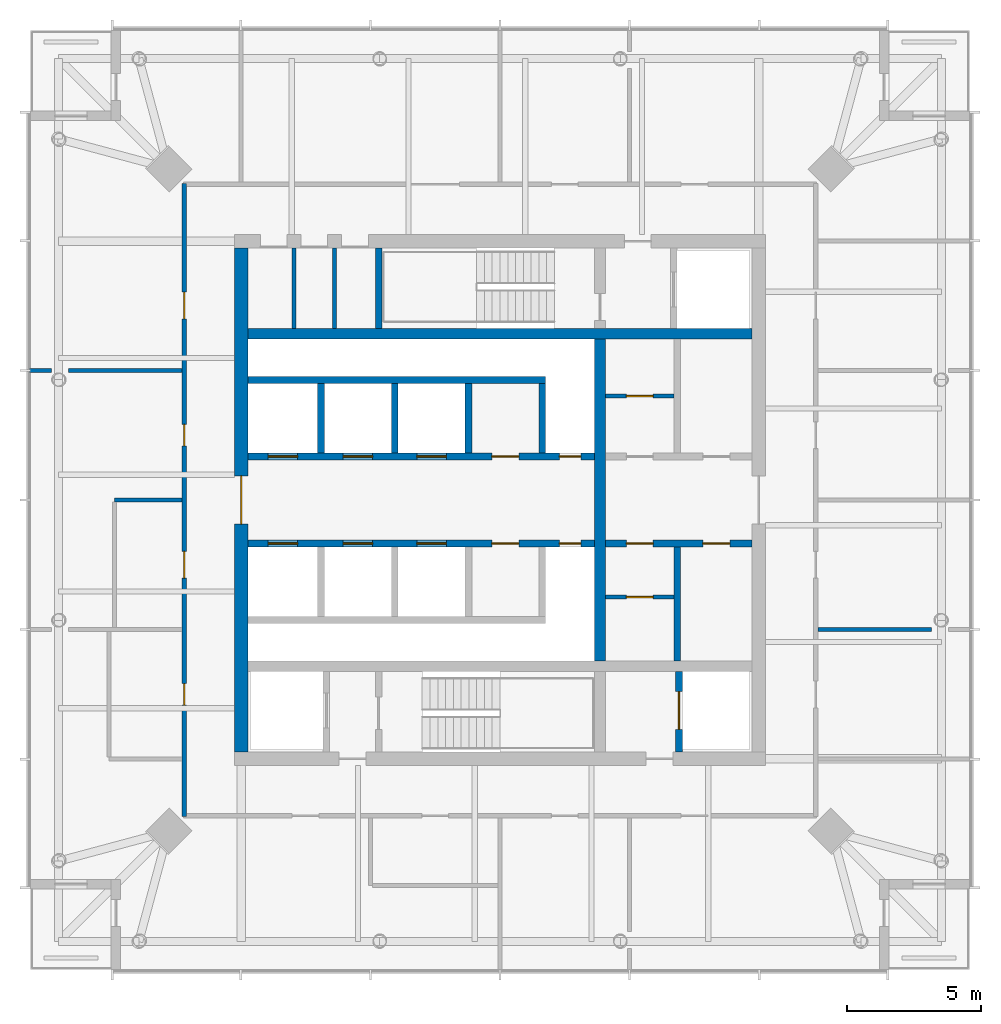
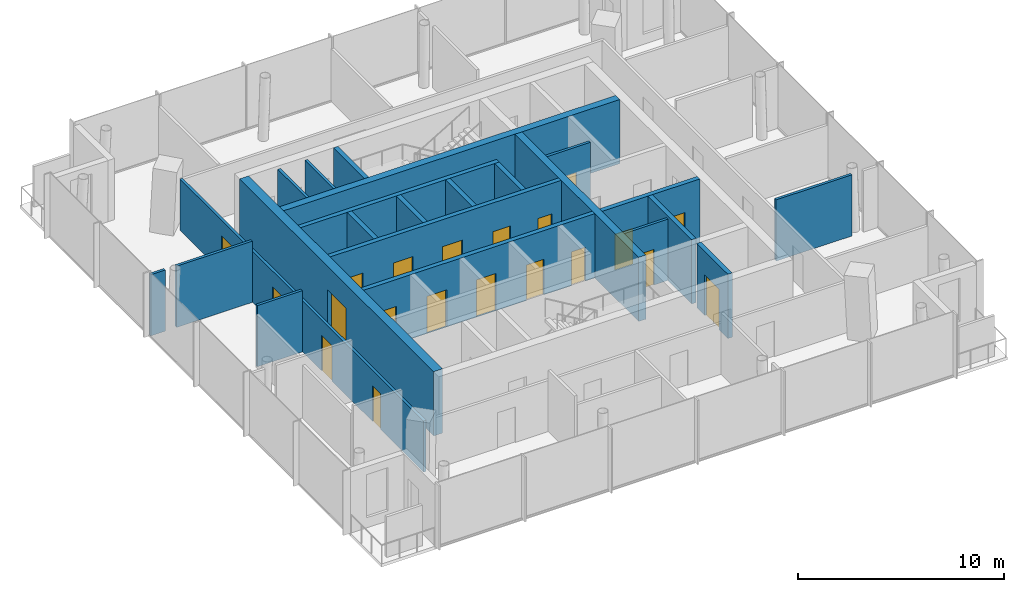
# One storey, part 4 of 7: 23 walls, 20 doors, 20 openings.
"""IFC4 building model written with IfcOpenShell, lengths in metres."""

from ifc_helpers import new_model, si_unit, direction, frame, frame_2d, origin, place, context, subcontext, project, spatial, rectangle, extrude, material, layer, layer_set, type_object, element, fill, save


model = new_model("IFC4")

# Units and contexts
model_context = context("Model", 3, precision=1e-05, world=origin(), true_north=direction((0.0, 1.0)))
body_context = subcontext(model_context, "Body", "Model", "MODEL_VIEW")
ifc_project = project(units=[si_unit("LENGTHUNIT", "METRE"), si_unit("AREAUNIT", "SQUARE_METRE"), si_unit("VOLUMEUNIT", "CUBIC_METRE"), si_unit("PLANEANGLEUNIT", "RADIAN"), si_unit("MASSUNIT", "GRAM", prefix="KILO")], contexts=[model_context])

# Site, building, storey
site_placement = place(None, origin())
site = spatial("IfcSite", under=ifc_project, at=site_placement, CompositionType="ELEMENT")
building_placement = place(site_placement, origin())
building = spatial("IfcBuilding", under=site, at=building_placement, Name="Ostroluk Exchange", CompositionType="ELEMENT")
storey_placement = place(building_placement, frame((0.0, 0.0, 256.60009765625)))
storey = spatial("IfcBuildingStorey", under=building, at=storey_placement, Name="L66", CompositionType="ELEMENT", Elevation=256.60009765625)

# Walls
ifc_material_1 = material(Name="Concrete blockwork", Category="masonry")
ifc_layer_1 = layer(ifc_material_1, 0.14990234375)
ifc_layer_set_1 = layer_set([ifc_layer_1], Name="Blockwork plant room wall 150")
wall_type_1 = type_object("IfcWallType", Name="Blockwork plant room wall 150", PredefinedType="SOLIDWALL", material=ifc_layer_set_1)
for number, where, z_axis, x_axis, name in (
    (1, (37.31005859375, 52.39990234375, 0.0), (0.0, 0.0, 1.0), (0.0, 1.0, 0.0), "Core room wall"),
    (2, (38.830078125, 52.39990234375, 0.0), (0.0, 0.0, 1.0), (0.0, 1.0, 0.0), "Core room wall"),
):
    element("IfcWall", number, at=place(storey_placement, frame(where, z_axis=z_axis, x_axis=x_axis)), inside=storey, type_object=wall_type_1, Name=name, PredefinedType="SOLIDWALL", context=body_context, shape_type="SweptSolid", body=[
        extrude(rectangle(XDim=3.0, YDim=0.14990234375, at=frame_2d((1.5, 0.0))), origin(), (0.0, 0.0, 1.0), 3.619873046875),
    ])

# Wall, opening, door
wall_1_placement = place(storey_placement, frame((48.929931640625, 49.875, 0.0), z_axis=(0.0, 0.0, 1.0), x_axis=(1.0, 0.0, 0.0)))
wall_1 = element("IfcWall", 3, at=wall_1_placement, inside=storey, type_object=wall_type_1, Name="Core room wall", PredefinedType="SOLIDWALL", context=body_context, shape_type="SweptSolid", body=[
    extrude(rectangle(XDim=2.56005859375, YDim=0.14990234375, at=frame_2d((1.280029296875, 0.0))), origin(), (0.0, 0.0, 1.0), 3.619873046875),
])
opening_1_placement = place(wall_1_placement, frame((0.780029296875, 0.0, 0.0)))
opening_1 = element("IfcOpeningElement", 4, at=opening_1_placement, cuts=wall_1, Name="Opening FD60", PredefinedType="OPENING", context=body_context, shape_type="SweptSolid", body=[
    extrude(rectangle(XDim=1.0, YDim=2.10009765625, at=frame_2d((0.5, 1.050048828125))), frame((0.0, 0.0849609375, 0.0), z_axis=(0.0, -1.0, 0.0), x_axis=(1.0, 0.0, 0.0)), (0.0, 0.0, 1.0), 0.169921875),
])
ifc_material_2 = material(Name="Steel", Category="steel")
door_type_1 = type_object("IfcDoorType", Name="Fire door EI 60 1000 x 2100", OperationType="SINGLE_SWING_LEFT", PredefinedType="DOOR", material=ifc_material_2)
door_1_placement = place(opening_1_placement, origin())
door_1 = element("IfcDoor", 5, at=door_1_placement, inside=storey, type_object=door_type_1, Name="Equipment store door", OperationType="SINGLE_SWING_LEFT", OverallHeight=2.10009765625, OverallWidth=1.0, PredefinedType="DOOR", context=body_context, shape_type="SweptSolid", body=[
    extrude(rectangle(XDim=1.0, YDim=2.10009765625, at=frame_2d((0.5, 1.050048828125))), frame((0.0, 0.02490234375, 0.0), z_axis=(0.0, -1.0, 0.0), x_axis=(1.0, 0.0, 0.0)), (0.0, 0.0, 1.0), 0.050048828125),
])
fill(opening_1, door_1)

wall_2_placement = place(storey_placement, frame((48.929931640625, 42.3798828125, 0.0), z_axis=(0.0, 0.0, 1.0), x_axis=(1.0, 0.0, 0.0)))
wall_2 = element("IfcWall", 6, at=wall_2_placement, inside=storey, type_object=wall_type_1, Name="Core room wall", PredefinedType="SOLIDWALL", context=body_context, shape_type="SweptSolid", body=[
    extrude(rectangle(XDim=2.56005859375, YDim=0.14990234375, at=frame_2d((1.280029296875, 0.0))), origin(), (0.0, 0.0, 1.0), 3.619873046875),
])
opening_2_placement = place(wall_2_placement, frame((0.780029296875, 0.0, 0.0)))
opening_2 = element("IfcOpeningElement", 7, at=opening_2_placement, cuts=wall_2, Name="Opening FD60", PredefinedType="OPENING", context=body_context, shape_type="SweptSolid", body=[
    extrude(rectangle(XDim=1.0, YDim=2.10009765625, at=frame_2d((0.5, 1.050048828125))), frame((0.0, 0.0849609375, 0.0), z_axis=(0.0, -1.0, 0.0), x_axis=(1.0, 0.0, 0.0)), (0.0, 0.0, 1.0), 0.169921875),
])
door_2_placement = place(opening_2_placement, origin())
door_2 = element("IfcDoor", 8, at=door_2_placement, inside=storey, type_object=door_type_1, Name="Cleaner's store door", OperationType="SINGLE_SWING_LEFT", OverallHeight=2.10009765625, OverallWidth=1.0, PredefinedType="DOOR", context=body_context, shape_type="SweptSolid", body=[
    extrude(rectangle(XDim=1.0, YDim=2.10009765625, at=frame_2d((0.5, 1.050048828125))), frame((0.0, 0.02490234375, 0.0), z_axis=(0.0, -1.0, 0.0), x_axis=(1.0, 0.0, 0.0)), (0.0, 0.0, 1.0), 0.050048828125),
])
fill(opening_2, door_2)

# Walls
ifc_material_3 = material(Name="Concrete C50/60", Category="concrete")
ifc_layer_2 = layer(ifc_material_3, 0.39990234375)
ifc_layer_set_2 = layer_set([ifc_layer_2], Name="Core cross wall 400 C50/60")
wall_type_2 = type_object("IfcWallType", Name="Core cross wall 400 C50/60", PredefinedType="SHEAR", material=ifc_layer_set_2)
wall_3_placement = place(storey_placement, frame((35.60009765625, 52.199951171875, 0.0), z_axis=(0.0, 0.0, 1.0), x_axis=(1.0, 0.0, 0.0)))
element("IfcWall", 9, at=wall_3_placement, inside=storey, type_object=wall_type_2, Name="T1 core wall XN", PredefinedType="SHEAR", context=body_context, shape_type="SweptSolid", body=[
    extrude(rectangle(XDim=18.7998046875, YDim=0.39990234375, at=frame_2d((9.39990234375, 0.0))), origin(), (0.0, 0.0, 1.0), 3.7998046875),
])
wall_4_placement = place(storey_placement, frame((48.72998046875, 40.0, 0.0), z_axis=(0.0, 0.0, 1.0), x_axis=(0.0, 1.0, 0.0)))
element("IfcWall", 10, at=wall_4_placement, inside=storey, type_object=wall_type_2, Name="T1 core wall YE2", PredefinedType="SHEAR", context=body_context, shape_type="SweptSolid", body=[
    extrude(rectangle(XDim=12.0, YDim=0.39990234375, at=frame_2d((6.0, 0.0))), origin(), (0.0, 0.0, 1.0), 3.7998046875),
])

# Wall, opening, door
ifc_material_4 = material(Name="Concrete C40/50", Category="concrete")
ifc_layer_3 = layer(ifc_material_4, 0.25)
ifc_layer_set_3 = layer_set([ifc_layer_3], Name="Core shaft wall 250")
wall_type_3 = type_object("IfcWallType", Name="Core shaft wall 250", PredefinedType="SHEAR", material=ifc_layer_set_3)
wall_5_placement = place(storey_placement, frame((51.675048828125, 36.60009765625, 0.0), z_axis=(0.0, 0.0, 1.0), x_axis=(0.0, 1.0, 0.0)))
wall_5 = element("IfcWall", 11, at=wall_5_placement, inside=storey, type_object=wall_type_3, Name="Service lift shaft wall", PredefinedType="SHEAR", context=body_context, shape_type="SweptSolid", body=[
    extrude(rectangle(XDim=3.0, YDim=0.25, at=frame_2d((1.5, 0.0))), origin(), (0.0, 0.0, 1.0), 3.7998046875),
])
opening_3_placement = place(wall_5_placement, frame((0.85009765625, 0.0, 0.0)))
opening_3 = element("IfcOpeningElement", 12, at=opening_3_placement, cuts=wall_5, Name="Opening LD3", PredefinedType="OPENING", context=body_context, shape_type="SweptSolid", body=[
    extrude(rectangle(XDim=1.39990234375, YDim=2.39990234375, at=frame_2d((0.699951171875, 1.199951171875))), frame((0.0, 0.135009765625, 0.0), z_axis=(0.0, -1.0, 0.0), x_axis=(1.0, 0.0, 0.0)), (0.0, 0.0, 1.0), 0.27001953125),
])
ifc_material_5 = material(Name="Stainless steel", Category="steel")
door_type_2 = type_object("IfcDoorType", Name="Goods lift landing door E 60 1400 x 2400", OperationType="DOUBLE_DOOR_SLIDING", PredefinedType="DOOR", material=ifc_material_5)
door_3_placement = place(opening_3_placement, origin())
door_3 = element("IfcDoor", 13, at=door_3_placement, inside=storey, type_object=door_type_2, Name="Lift SL1 landing door", OperationType="DOUBLE_DOOR_SLIDING", OverallHeight=2.39990234375, OverallWidth=1.39990234375, PredefinedType="DOOR", context=body_context, shape_type="SweptSolid", body=[
    extrude(rectangle(XDim=1.39990234375, YDim=2.39990234375, at=frame_2d((0.699951171875, 1.199951171875))), frame((0.0, 0.02490234375, 0.0), z_axis=(0.0, -1.0, 0.0), x_axis=(1.0, 0.0, 0.0)), (0.0, 0.0, 1.0), 0.050048828125),
])
fill(opening_3, door_3)

# Walls
wall_6_placement = place(storey_placement, frame((40.47509765625, 52.39990234375, 0.0), z_axis=(0.0, 0.0, 1.0), x_axis=(0.0, 1.0, 0.0)))
element("IfcWall", 14, at=wall_6_placement, inside=storey, type_object=wall_type_3, Name="Stair shaft wall", PredefinedType="SHEAR", context=body_context, shape_type="SweptSolid", body=[
    extrude(rectangle(XDim=3.0, YDim=0.25, at=frame_2d((1.5, 0.0))), origin(), (0.0, 0.0, 1.0), 3.7998046875),
])
for number, where, z_axis, x_axis, name in (
    (15, (38.324951171875, 47.75, 0.0), (0.0, 0.0, 1.0), (0.0, 1.0, 0.0), "Lift shaft wall"),
    (16, (41.074951171875, 47.75, 0.0), (0.0, 0.0, 1.0), (0.0, 1.0, 0.0), "Lift shaft wall"),
    (17, (43.824951171875, 47.75, 0.0), (0.0, 0.0, 1.0), (0.0, 1.0, 0.0), "Lift shaft wall"),
    (18, (46.574951171875, 47.75, 0.0), (0.0, 0.0, 1.0), (0.0, 1.0, 0.0), "Lift shaft wall"),
):
    element("IfcWall", number, at=place(storey_placement, frame(where, z_axis=z_axis, x_axis=x_axis)), inside=storey, type_object=wall_type_3, Name=name, PredefinedType="SHEAR", context=body_context, shape_type="SweptSolid", body=[
        extrude(rectangle(XDim=2.60009765625, YDim=0.25, at=frame_2d((1.300048828125, 0.0))), origin(), (0.0, 0.0, 1.0), 3.7998046875),
    ])
wall_7_placement = place(storey_placement, frame((35.60009765625, 50.47509765625, 0.0), z_axis=(0.0, 0.0, 1.0), x_axis=(1.0, 0.0, 0.0)))
element("IfcWall", 19, at=wall_7_placement, inside=storey, type_object=wall_type_3, Name="Lift shaft wall", PredefinedType="SHEAR", context=body_context, shape_type="SweptSolid", body=[
    extrude(rectangle(XDim=11.099853515625, YDim=0.25, at=frame_2d((5.5498046875, 0.0))), origin(), (0.0, 0.0, 1.0), 3.7998046875),
])

# Wall, openings, doors
wall_8_placement = place(storey_placement, frame((35.60009765625, 47.625, 0.0), z_axis=(0.0, 0.0, 1.0), x_axis=(1.0, 0.0, 0.0)))
wall_8 = element("IfcWall", 20, at=wall_8_placement, inside=storey, type_object=wall_type_3, Name="Lift shaft front wall", PredefinedType="SHEAR", context=body_context, shape_type="SweptSolid", body=[
    extrude(rectangle(XDim=12.929931640625, YDim=0.25, at=frame_2d((6.46484375, 0.0))), origin(), (0.0, 0.0, 1.0), 3.7998046875),
])
opening_4_placement = place(wall_8_placement, frame((0.75, 0.0, 0.0)))
opening_4 = element("IfcOpeningElement", 21, at=opening_4_placement, cuts=wall_8, Name="Opening LD", PredefinedType="OPENING", context=body_context, shape_type="SweptSolid", body=[
    extrude(rectangle(XDim=1.10009765625, YDim=2.199951171875, at=frame_2d((0.550048828125, 1.10009765625))), frame((0.0, 0.135009765625, 0.0), z_axis=(0.0, -1.0, 0.0), x_axis=(1.0, 0.0, 0.0)), (0.0, 0.0, 1.0), 0.27001953125),
])
opening_5_placement = place(wall_8_placement, frame((3.550048828125, 0.0, 0.0)))
opening_5 = element("IfcOpeningElement", 22, at=opening_5_placement, cuts=wall_8, Name="Opening LD", PredefinedType="OPENING", context=body_context, shape_type="SweptSolid", body=[
    extrude(rectangle(XDim=1.10009765625, YDim=2.199951171875, at=frame_2d((0.550048828125, 1.10009765625))), frame((0.0, 0.135009765625, 0.0), z_axis=(0.0, -1.0, 0.0), x_axis=(1.0, 0.0, 0.0)), (0.0, 0.0, 1.0), 0.27001953125),
])
opening_6_placement = place(wall_8_placement, frame((6.300048828125, 0.0, 0.0)))
opening_6 = element("IfcOpeningElement", 23, at=opening_6_placement, cuts=wall_8, Name="Opening LD", PredefinedType="OPENING", context=body_context, shape_type="SweptSolid", body=[
    extrude(rectangle(XDim=1.10009765625, YDim=2.199951171875, at=frame_2d((0.550048828125, 1.10009765625))), frame((0.0, 0.135009765625, 0.0), z_axis=(0.0, -1.0, 0.0), x_axis=(1.0, 0.0, 0.0)), (0.0, 0.0, 1.0), 0.27001953125),
])
opening_7_placement = place(wall_8_placement, frame((9.10009765625, 0.0, 0.0)))
opening_7 = element("IfcOpeningElement", 24, at=opening_7_placement, cuts=wall_8, Name="Opening FD60", PredefinedType="OPENING", context=body_context, shape_type="SweptSolid", body=[
    extrude(rectangle(XDim=1.0, YDim=2.10009765625, at=frame_2d((0.5, 1.050048828125))), frame((0.0, 0.135009765625, 0.0), z_axis=(0.0, -1.0, 0.0), x_axis=(1.0, 0.0, 0.0)), (0.0, 0.0, 1.0), 0.27001953125),
])
opening_8_placement = place(wall_8_placement, frame((11.614990234375, 0.0, 0.0)))
opening_8 = element("IfcOpeningElement", 25, at=opening_8_placement, cuts=wall_8, Name="Opening RD60", PredefinedType="OPENING", context=body_context, shape_type="SweptSolid", body=[
    extrude(rectangle(XDim=0.800048828125, YDim=2.0, at=frame_2d((0.39990234375, 1.0))), frame((0.0, 0.135009765625, 0.0), z_axis=(0.0, -1.0, 0.0), x_axis=(1.0, 0.0, 0.0)), (0.0, 0.0, 1.0), 0.27001953125),
])
door_4_placement = place(opening_7_placement, origin())
door_4 = element("IfcDoor", 26, at=door_4_placement, inside=storey, type_object=door_type_1, Name="Core room door", OperationType="SINGLE_SWING_RIGHT", OverallHeight=2.10009765625, OverallWidth=1.0, PredefinedType="DOOR", context=body_context, shape_type="SweptSolid", body=[
    extrude(rectangle(XDim=1.0, YDim=2.10009765625, at=frame_2d((0.5, 1.050048828125))), frame((0.0, 0.02490234375, 0.0), z_axis=(0.0, -1.0, 0.0), x_axis=(1.0, 0.0, 0.0)), (0.0, 0.0, 1.0), 0.050048828125),
])
fill(opening_7, door_4)
ifc_material_6 = material(Name="Stainless steel", Category="steel")
door_type_3 = type_object("IfcDoorType", Name="Lift landing door E 60 1100 x 2200", OperationType="DOUBLE_DOOR_SLIDING", PredefinedType="DOOR", material=ifc_material_6)
door_5_placement = place(opening_4_placement, origin())
door_5 = element("IfcDoor", 27, at=door_5_placement, inside=storey, type_object=door_type_3, Name="Lift PL-T1 landing door", OperationType="DOUBLE_DOOR_SLIDING", OverallHeight=2.199951171875, OverallWidth=1.10009765625, PredefinedType="DOOR", context=body_context, shape_type="SweptSolid", body=[
    extrude(rectangle(XDim=1.10009765625, YDim=2.199951171875, at=frame_2d((0.550048828125, 1.10009765625))), frame((0.0, 0.02490234375, 0.0), z_axis=(0.0, -1.0, 0.0), x_axis=(1.0, 0.0, 0.0)), (0.0, 0.0, 1.0), 0.050048828125),
])
fill(opening_4, door_5)
door_6_placement = place(opening_5_placement, origin())
door_6 = element("IfcDoor", 28, at=door_6_placement, inside=storey, type_object=door_type_3, Name="Lift PL-T2 landing door", OperationType="DOUBLE_DOOR_SLIDING", OverallHeight=2.199951171875, OverallWidth=1.10009765625, PredefinedType="DOOR", context=body_context, shape_type="SweptSolid", body=[
    extrude(rectangle(XDim=1.10009765625, YDim=2.199951171875, at=frame_2d((0.550048828125, 1.10009765625))), frame((0.0, 0.02490234375, 0.0), z_axis=(0.0, -1.0, 0.0), x_axis=(1.0, 0.0, 0.0)), (0.0, 0.0, 1.0), 0.050048828125),
])
fill(opening_5, door_6)
door_7_placement = place(opening_6_placement, origin())
door_7 = element("IfcDoor", 29, at=door_7_placement, inside=storey, type_object=door_type_3, Name="Lift PL-T3 landing door", OperationType="DOUBLE_DOOR_SLIDING", OverallHeight=2.199951171875, OverallWidth=1.10009765625, PredefinedType="DOOR", context=body_context, shape_type="SweptSolid", body=[
    extrude(rectangle(XDim=1.10009765625, YDim=2.199951171875, at=frame_2d((0.550048828125, 1.10009765625))), frame((0.0, 0.02490234375, 0.0), z_axis=(0.0, -1.0, 0.0), x_axis=(1.0, 0.0, 0.0)), (0.0, 0.0, 1.0), 0.050048828125),
])
fill(opening_6, door_7)
ifc_material_7 = material(Name="Steel", Category="steel")
door_type_4 = type_object("IfcDoorType", Name="Riser access door EI 60 800 x 2000", OperationType="SINGLE_SWING_LEFT", PredefinedType="DOOR", material=ifc_material_7)
door_8_placement = place(opening_8_placement, origin())
door_8 = element("IfcDoor", 30, at=door_8_placement, inside=storey, type_object=door_type_4, Name="Riser access door", OperationType="SINGLE_SWING_RIGHT", OverallHeight=2.0, OverallWidth=0.800048828125, PredefinedType="DOOR", context=body_context, shape_type="SweptSolid", body=[
    extrude(rectangle(XDim=0.800048828125, YDim=2.0, at=frame_2d((0.39990234375, 1.0))), frame((0.0, 0.02490234375, 0.0), z_axis=(0.0, -1.0, 0.0), x_axis=(1.0, 0.0, 0.0)), (0.0, 0.0, 1.0), 0.050048828125),
])
fill(opening_8, door_8)

wall_9_placement = place(storey_placement, frame((35.60009765625, 44.375, 0.0), z_axis=(0.0, 0.0, 1.0), x_axis=(1.0, 0.0, 0.0)))
wall_9 = element("IfcWall", 31, at=wall_9_placement, inside=storey, type_object=wall_type_3, Name="Lift shaft front wall", PredefinedType="SHEAR", context=body_context, shape_type="SweptSolid", body=[
    extrude(rectangle(XDim=12.929931640625, YDim=0.25, at=frame_2d((6.46484375, 0.0))), origin(), (0.0, 0.0, 1.0), 3.7998046875),
])
opening_9_placement = place(wall_9_placement, frame((0.75, 0.0, 0.0)))
opening_9 = element("IfcOpeningElement", 32, at=opening_9_placement, cuts=wall_9, Name="Opening LD", PredefinedType="OPENING", context=body_context, shape_type="SweptSolid", body=[
    extrude(rectangle(XDim=1.10009765625, YDim=2.199951171875, at=frame_2d((0.550048828125, 1.10009765625))), frame((0.0, 0.135009765625, 0.0), z_axis=(0.0, -1.0, 0.0), x_axis=(1.0, 0.0, 0.0)), (0.0, 0.0, 1.0), 0.27001953125),
])
opening_10_placement = place(wall_9_placement, frame((3.550048828125, 0.0, 0.0)))
opening_10 = element("IfcOpeningElement", 33, at=opening_10_placement, cuts=wall_9, Name="Opening LD", PredefinedType="OPENING", context=body_context, shape_type="SweptSolid", body=[
    extrude(rectangle(XDim=1.10009765625, YDim=2.199951171875, at=frame_2d((0.550048828125, 1.10009765625))), frame((0.0, 0.135009765625, 0.0), z_axis=(0.0, -1.0, 0.0), x_axis=(1.0, 0.0, 0.0)), (0.0, 0.0, 1.0), 0.27001953125),
])
opening_11_placement = place(wall_9_placement, frame((6.300048828125, 0.0, 0.0)))
opening_11 = element("IfcOpeningElement", 34, at=opening_11_placement, cuts=wall_9, Name="Opening LD", PredefinedType="OPENING", context=body_context, shape_type="SweptSolid", body=[
    extrude(rectangle(XDim=1.10009765625, YDim=2.199951171875, at=frame_2d((0.550048828125, 1.10009765625))), frame((0.0, 0.135009765625, 0.0), z_axis=(0.0, -1.0, 0.0), x_axis=(1.0, 0.0, 0.0)), (0.0, 0.0, 1.0), 0.27001953125),
])
opening_12_placement = place(wall_9_placement, frame((9.10009765625, 0.0, 0.0)))
opening_12 = element("IfcOpeningElement", 35, at=opening_12_placement, cuts=wall_9, Name="Opening FD60", PredefinedType="OPENING", context=body_context, shape_type="SweptSolid", body=[
    extrude(rectangle(XDim=1.0, YDim=2.10009765625, at=frame_2d((0.5, 1.050048828125))), frame((0.0, 0.135009765625, 0.0), z_axis=(0.0, -1.0, 0.0), x_axis=(1.0, 0.0, 0.0)), (0.0, 0.0, 1.0), 0.27001953125),
])
opening_13_placement = place(wall_9_placement, frame((11.614990234375, 0.0, 0.0)))
opening_13 = element("IfcOpeningElement", 36, at=opening_13_placement, cuts=wall_9, Name="Opening RD60", PredefinedType="OPENING", context=body_context, shape_type="SweptSolid", body=[
    extrude(rectangle(XDim=0.800048828125, YDim=2.0, at=frame_2d((0.39990234375, 1.0))), frame((0.0, 0.135009765625, 0.0), z_axis=(0.0, -1.0, 0.0), x_axis=(1.0, 0.0, 0.0)), (0.0, 0.0, 1.0), 0.27001953125),
])
door_9_placement = place(opening_12_placement, origin())
door_9 = element("IfcDoor", 37, at=door_9_placement, inside=storey, type_object=door_type_1, Name="Core room door", OperationType="SINGLE_SWING_RIGHT", OverallHeight=2.10009765625, OverallWidth=1.0, PredefinedType="DOOR", context=body_context, shape_type="SweptSolid", body=[
    extrude(rectangle(XDim=1.0, YDim=2.10009765625, at=frame_2d((0.5, 1.050048828125))), frame((0.0, 0.02490234375, 0.0), z_axis=(0.0, -1.0, 0.0), x_axis=(1.0, 0.0, 0.0)), (0.0, 0.0, 1.0), 0.050048828125),
])
fill(opening_12, door_9)
door_10_placement = place(opening_9_placement, origin())
door_10 = element("IfcDoor", 38, at=door_10_placement, inside=storey, type_object=door_type_3, Name="Lift PL-T4 landing door", OperationType="DOUBLE_DOOR_SLIDING", OverallHeight=2.199951171875, OverallWidth=1.10009765625, PredefinedType="DOOR", context=body_context, shape_type="SweptSolid", body=[
    extrude(rectangle(XDim=1.10009765625, YDim=2.199951171875, at=frame_2d((0.550048828125, 1.10009765625))), frame((0.0, 0.02490234375, 0.0), z_axis=(0.0, -1.0, 0.0), x_axis=(1.0, 0.0, 0.0)), (0.0, 0.0, 1.0), 0.050048828125),
])
fill(opening_9, door_10)
door_11_placement = place(opening_10_placement, origin())
door_11 = element("IfcDoor", 39, at=door_11_placement, inside=storey, type_object=door_type_3, Name="Lift PL-T5 landing door", OperationType="DOUBLE_DOOR_SLIDING", OverallHeight=2.199951171875, OverallWidth=1.10009765625, PredefinedType="DOOR", context=body_context, shape_type="SweptSolid", body=[
    extrude(rectangle(XDim=1.10009765625, YDim=2.199951171875, at=frame_2d((0.550048828125, 1.10009765625))), frame((0.0, 0.02490234375, 0.0), z_axis=(0.0, -1.0, 0.0), x_axis=(1.0, 0.0, 0.0)), (0.0, 0.0, 1.0), 0.050048828125),
])
fill(opening_10, door_11)
door_12_placement = place(opening_11_placement, origin())
door_12 = element("IfcDoor", 40, at=door_12_placement, inside=storey, type_object=door_type_3, Name="Lift PL-T6 landing door", OperationType="DOUBLE_DOOR_SLIDING", OverallHeight=2.199951171875, OverallWidth=1.10009765625, PredefinedType="DOOR", context=body_context, shape_type="SweptSolid", body=[
    extrude(rectangle(XDim=1.10009765625, YDim=2.199951171875, at=frame_2d((0.550048828125, 1.10009765625))), frame((0.0, 0.02490234375, 0.0), z_axis=(0.0, -1.0, 0.0), x_axis=(1.0, 0.0, 0.0)), (0.0, 0.0, 1.0), 0.050048828125),
])
fill(opening_11, door_12)
door_13_placement = place(opening_13_placement, origin())
door_13 = element("IfcDoor", 41, at=door_13_placement, inside=storey, type_object=door_type_4, Name="Riser access door", OperationType="SINGLE_SWING_RIGHT", OverallHeight=2.0, OverallWidth=0.800048828125, PredefinedType="DOOR", context=body_context, shape_type="SweptSolid", body=[
    extrude(rectangle(XDim=0.800048828125, YDim=2.0, at=frame_2d((0.39990234375, 1.0))), frame((0.0, 0.02490234375, 0.0), z_axis=(0.0, -1.0, 0.0), x_axis=(1.0, 0.0, 0.0)), (0.0, 0.0, 1.0), 0.050048828125),
])
fill(opening_13, door_13)

# Wall
wall_10_placement = place(storey_placement, frame((51.614990234375, 44.25, 0.0), z_axis=(0.0, 0.0, 1.0), x_axis=(0.0, -1.0, 0.0)))
element("IfcWall", 42, at=wall_10_placement, inside=storey, type_object=wall_type_3, Name="Lift shaft wall", PredefinedType="SHEAR", context=body_context, shape_type="SweptSolid", body=[
    extrude(rectangle(XDim=4.25, YDim=0.25, at=frame_2d((2.125, 0.0))), origin(), (0.0, 0.0, 1.0), 3.7998046875),
])

# Wall, openings, doors
wall_11_placement = place(storey_placement, frame((48.929931640625, 44.375, 0.0), z_axis=(0.0, 0.0, 1.0), x_axis=(1.0, 0.0, 0.0)))
wall_11 = element("IfcWall", 43, at=wall_11_placement, inside=storey, type_object=wall_type_3, Name="Lift shaft front wall", PredefinedType="SHEAR", context=body_context, shape_type="SweptSolid", body=[
    extrude(rectangle(XDim=5.469970703125, YDim=0.25, at=frame_2d((2.73486328125, 0.0))), origin(), (0.0, 0.0, 1.0), 3.7998046875),
])
opening_14_placement = place(wall_11_placement, frame((0.780029296875, 0.0, 0.0)))
opening_14 = element("IfcOpeningElement", 44, at=opening_14_placement, cuts=wall_11, Name="Opening FD60", PredefinedType="OPENING", context=body_context, shape_type="SweptSolid", body=[
    extrude(rectangle(XDim=1.0, YDim=2.10009765625, at=frame_2d((0.5, 1.050048828125))), frame((0.0, 0.135009765625, 0.0), z_axis=(0.0, -1.0, 0.0), x_axis=(1.0, 0.0, 0.0)), (0.0, 0.0, 1.0), 0.27001953125),
])
opening_15_placement = place(wall_11_placement, frame((3.639892578125, 0.0, 0.0)))
opening_15 = element("IfcOpeningElement", 45, at=opening_15_placement, cuts=wall_11, Name="Opening FD60", PredefinedType="OPENING", context=body_context, shape_type="SweptSolid", body=[
    extrude(rectangle(XDim=1.0, YDim=2.10009765625, at=frame_2d((0.5, 1.050048828125))), frame((0.0, 0.135009765625, 0.0), z_axis=(0.0, -1.0, 0.0), x_axis=(1.0, 0.0, 0.0)), (0.0, 0.0, 1.0), 0.27001953125),
])
door_14_placement = place(opening_14_placement, origin())
door_14 = element("IfcDoor", 46, at=door_14_placement, inside=storey, type_object=door_type_1, Name="Core room door", OperationType="SINGLE_SWING_LEFT", OverallHeight=2.10009765625, OverallWidth=1.0, PredefinedType="DOOR", context=body_context, shape_type="SweptSolid", body=[
    extrude(rectangle(XDim=1.0, YDim=2.10009765625, at=frame_2d((0.5, 1.050048828125))), frame((0.0, 0.02490234375, 0.0), z_axis=(0.0, -1.0, 0.0), x_axis=(1.0, 0.0, 0.0)), (0.0, 0.0, 1.0), 0.050048828125),
])
fill(opening_14, door_14)
door_15_placement = place(opening_15_placement, origin())
door_15 = element("IfcDoor", 47, at=door_15_placement, inside=storey, type_object=door_type_1, Name="Core room door", OperationType="SINGLE_SWING_RIGHT", OverallHeight=2.10009765625, OverallWidth=1.0, PredefinedType="DOOR", context=body_context, shape_type="SweptSolid", body=[
    extrude(rectangle(XDim=1.0, YDim=2.10009765625, at=frame_2d((0.5, 1.050048828125))), frame((0.0, 0.02490234375, 0.0), z_axis=(0.0, -1.0, 0.0), x_axis=(1.0, 0.0, 0.0)), (0.0, 0.0, 1.0), 0.050048828125),
])
fill(opening_15, door_15)

# Wall, opening, door
ifc_material_8 = material(Name="Concrete C50/60", Category="concrete")
ifc_layer_4 = layer(ifc_material_8, 0.5)
ifc_layer_set_4 = layer_set([ifc_layer_4], Name="Core wall 500 C50/60")
wall_type_4 = type_object("IfcWallType", Name="Core wall 500 C50/60", PredefinedType="SHEAR", material=ifc_layer_set_4)
wall_12_placement = place(storey_placement, frame((35.35009765625, 36.60009765625, 0.0), z_axis=(0.0, 0.0, 1.0), x_axis=(0.0, 1.0, 0.0)))
wall_12 = element("IfcWall", 48, at=wall_12_placement, inside=storey, type_object=wall_type_4, Name="T1 core wall W", PredefinedType="SHEAR", context=body_context, shape_type="SweptSolid", body=[
    extrude(rectangle(XDim=18.7998046875, YDim=0.5, at=frame_2d((9.39990234375, 0.0))), origin(), (0.0, 0.0, 1.0), 3.7998046875),
])
opening_16_placement = place(wall_12_placement, frame((8.5, 0.0, 0.0)))
opening_16 = element("IfcOpeningElement", 49, at=opening_16_placement, cuts=wall_12, Name="Opening FD30D", PredefinedType="OPENING", context=body_context, shape_type="SweptSolid", body=[
    extrude(rectangle(XDim=1.800048828125, YDim=2.39990234375, at=frame_2d((0.89990234375, 1.199951171875))), frame((0.0, 0.260009765625, 0.0), z_axis=(0.0, -1.0, 0.0), x_axis=(1.0, 0.0, 0.0)), (0.0, 0.0, 1.0), 0.52001953125),
])
ifc_material_9 = material(Name="Timber", Category="wood")
door_type_5 = type_object("IfcDoorType", Name="Lobby double door EI 30 1800 x 2400", OperationType="DOUBLE_DOOR_SINGLE_SWING", PredefinedType="DOOR", material=ifc_material_9)
door_16_placement = place(opening_16_placement, origin())
door_16 = element("IfcDoor", 50, at=door_16_placement, inside=storey, type_object=door_type_5, Name="Lift lobby doors", OperationType="DOUBLE_DOOR_SINGLE_SWING", OverallHeight=2.39990234375, OverallWidth=1.800048828125, PredefinedType="DOOR", context=body_context, shape_type="SweptSolid", body=[
    extrude(rectangle(XDim=1.800048828125, YDim=2.39990234375, at=frame_2d((0.89990234375, 1.199951171875))), frame((0.0, 0.02490234375, 0.0), z_axis=(0.0, -1.0, 0.0), x_axis=(1.0, 0.0, 0.0)), (0.0, 0.0, 1.0), 0.050048828125),
])
fill(opening_16, door_16)

# Wall
ifc_material_10 = material(Name="Gypsum plasterboard partition", Category="gypsum")
ifc_layer_5 = layer(ifc_material_10, 0.14990234375)
ifc_layer_set_5 = layer_set([ifc_layer_5], Name="Plasterboard partition 150")
wall_type_5 = type_object("IfcWallType", Name="Plasterboard partition 150", PredefinedType="PARTITIONING", material=ifc_layer_set_5)
wall_13_placement = place(storey_placement, frame((56.85009765625, 41.166748046875, 0.0), z_axis=(0.0, 0.0, 1.0), x_axis=(1.0, 0.0, 0.0)))
element("IfcWall", 51, at=wall_13_placement, inside=storey, type_object=wall_type_5, Name="Partition", PredefinedType="PARTITIONING", context=body_context, shape_type="SweptSolid", body=[
    extrude(rectangle(XDim=4.245849609375, YDim=0.14990234375, at=frame_2d((2.123046875, 0.0))), origin(), (0.0, 0.0, 1.0), 3.619873046875),
])

# Wall, openings, doors
wall_14_placement = place(storey_placement, frame((33.22509765625, 57.801513671875, 0.0), z_axis=(0.0, 0.0, 1.0), x_axis=(0.0, -1.0, 0.0)))
wall_14 = element("IfcWall", 52, at=wall_14_placement, inside=storey, type_object=wall_type_5, Name="Partition", PredefinedType="PARTITIONING", context=body_context, shape_type="SweptSolid", body=[
    extrude(rectangle(XDim=23.60302734375, YDim=0.14990234375, at=frame_2d((11.801513671875, 0.0))), origin(), (0.0, 0.0, 1.0), 3.02001953125),
])
opening_17_placement = place(wall_14_placement, frame((4.051513671875, 0.0, 0.0)))
opening_17 = element("IfcOpeningElement", 53, at=opening_17_placement, cuts=wall_14, Name="Opening D-03", PredefinedType="OPENING", context=body_context, shape_type="SweptSolid", body=[
    extrude(rectangle(XDim=1.0, YDim=2.10009765625, at=frame_2d((0.5, 1.050048828125))), frame((0.0, 0.0849609375, 0.0), z_axis=(0.0, -1.0, 0.0), x_axis=(1.0, 0.0, 0.0)), (0.0, 0.0, 1.0), 0.169921875),
])
opening_18_placement = place(wall_14_placement, frame((8.98486328125, 0.0, 0.0)))
opening_18 = element("IfcOpeningElement", 54, at=opening_18_placement, cuts=wall_14, Name="Opening D-06", PredefinedType="OPENING", context=body_context, shape_type="SweptSolid", body=[
    extrude(rectangle(XDim=0.800048828125, YDim=2.10009765625, at=frame_2d((0.39990234375, 1.050048828125))), frame((0.0, 0.0849609375, 0.0), z_axis=(0.0, -1.0, 0.0), x_axis=(1.0, 0.0, 0.0)), (0.0, 0.0, 1.0), 0.169921875),
])
opening_19_placement = place(wall_14_placement, frame((13.718017578125, 0.0, 0.0)))
opening_19 = element("IfcOpeningElement", 55, at=opening_19_placement, cuts=wall_14, Name="Opening D-03", PredefinedType="OPENING", context=body_context, shape_type="SweptSolid", body=[
    extrude(rectangle(XDim=1.0, YDim=2.10009765625, at=frame_2d((0.5, 1.050048828125))), frame((0.0, 0.0849609375, 0.0), z_axis=(0.0, -1.0, 0.0), x_axis=(1.0, 0.0, 0.0)), (0.0, 0.0, 1.0), 0.169921875),
])
opening_20_placement = place(wall_14_placement, frame((18.6513671875, 0.0, 0.0)))
opening_20 = element("IfcOpeningElement", 56, at=opening_20_placement, cuts=wall_14, Name="Opening D-06", PredefinedType="OPENING", context=body_context, shape_type="SweptSolid", body=[
    extrude(rectangle(XDim=0.800048828125, YDim=2.10009765625, at=frame_2d((0.39990234375, 1.050048828125))), frame((0.0, 0.0849609375, 0.0), z_axis=(0.0, -1.0, 0.0), x_axis=(1.0, 0.0, 0.0)), (0.0, 0.0, 1.0), 0.169921875),
])
ifc_material_11 = material(Name="Timber", Category="wood")
door_type_6 = type_object("IfcDoorType", Name="Internal door 1000 x 2100", OperationType="SINGLE_SWING_LEFT", PredefinedType="DOOR", material=ifc_material_11)
door_17_placement = place(opening_17_placement, origin())
door_17 = element("IfcDoor", 57, at=door_17_placement, inside=storey, type_object=door_type_6, Name="Corner office door", OperationType="SINGLE_SWING_LEFT", OverallHeight=2.10009765625, OverallWidth=1.0, PredefinedType="DOOR", context=body_context, shape_type="SweptSolid", body=[
    extrude(rectangle(XDim=1.0, YDim=2.10009765625, at=frame_2d((0.5, 1.050048828125))), frame((0.0, 0.02490234375, 0.0), z_axis=(0.0, -1.0, 0.0), x_axis=(1.0, 0.0, 0.0)), (0.0, 0.0, 1.0), 0.050048828125),
])
fill(opening_17, door_17)
door_18_placement = place(opening_19_placement, origin())
door_18 = element("IfcDoor", 58, at=door_18_placement, inside=storey, type_object=door_type_6, Name="Accessible WC door", OperationType="SINGLE_SWING_RIGHT", OverallHeight=2.10009765625, OverallWidth=1.0, PredefinedType="DOOR", context=body_context, shape_type="SweptSolid", body=[
    extrude(rectangle(XDim=1.0, YDim=2.10009765625, at=frame_2d((0.5, 1.050048828125))), frame((0.0, 0.02490234375, 0.0), z_axis=(0.0, -1.0, 0.0), x_axis=(1.0, 0.0, 0.0)), (0.0, 0.0, 1.0), 0.050048828125),
])
fill(opening_19, door_18)
ifc_material_12 = material(Name="Timber", Category="wood")
door_type_7 = type_object("IfcDoorType", Name="Toilet door 800 x 2100", OperationType="SINGLE_SWING_LEFT", PredefinedType="DOOR", material=ifc_material_12)
door_19_placement = place(opening_18_placement, origin())
door_19 = element("IfcDoor", 59, at=door_19_placement, inside=storey, type_object=door_type_7, Name="WC female door", OperationType="SINGLE_SWING_LEFT", OverallHeight=2.10009765625, OverallWidth=0.800048828125, PredefinedType="DOOR", context=body_context, shape_type="SweptSolid", body=[
    extrude(rectangle(XDim=0.800048828125, YDim=2.10009765625, at=frame_2d((0.39990234375, 1.050048828125))), frame((0.0, 0.02490234375, 0.0), z_axis=(0.0, -1.0, 0.0), x_axis=(1.0, 0.0, 0.0)), (0.0, 0.0, 1.0), 0.050048828125),
])
fill(opening_18, door_19)
door_20_placement = place(opening_20_placement, origin())
door_20 = element("IfcDoor", 60, at=door_20_placement, inside=storey, type_object=door_type_7, Name="WC male door", OperationType="SINGLE_SWING_RIGHT", OverallHeight=2.10009765625, OverallWidth=0.800048828125, PredefinedType="DOOR", context=body_context, shape_type="SweptSolid", body=[
    extrude(rectangle(XDim=0.800048828125, YDim=2.10009765625, at=frame_2d((0.39990234375, 1.050048828125))), frame((0.0, 0.02490234375, 0.0), z_axis=(0.0, -1.0, 0.0), x_axis=(1.0, 0.0, 0.0)), (0.0, 0.0, 1.0), 0.050048828125),
])
fill(opening_20, door_20)

# Walls
wall_15_placement = place(storey_placement, frame((33.14990234375, 50.833251953125, 0.0), z_axis=(0.0, 0.0, 1.0), x_axis=(-1.0, 0.0, 0.0)))
element("IfcWall", 61, at=wall_15_placement, inside=storey, type_object=wall_type_5, Name="Partition", PredefinedType="PARTITIONING", context=body_context, shape_type="SweptSolid", body=[
    extrude(rectangle(XDim=4.245849609375, YDim=0.14990234375, at=frame_2d((2.123046875, 0.0))), origin(), (0.0, 0.0, 1.0), 3.619873046875),
])
wall_16_placement = place(storey_placement, frame((28.274658203125, 50.833251953125, 0.0), z_axis=(0.0, 0.0, 1.0), x_axis=(-1.0, 0.0, 0.0)))
element("IfcWall", 62, at=wall_16_placement, inside=storey, type_object=wall_type_5, Name="Partition", PredefinedType="PARTITIONING", context=body_context, shape_type="SweptSolid", body=[
    extrude(rectangle(XDim=0.814697265625, YDim=0.14990234375, at=frame_2d((0.4072265625, 0.0))), origin(), (0.0, 0.0, 1.0), 3.619873046875),
])
wall_17_placement = place(storey_placement, frame((33.14990234375, 46.0, 0.0), z_axis=(0.0, 0.0, 1.0), x_axis=(-1.0, 0.0, 0.0)))
element("IfcWall", 63, at=wall_17_placement, inside=storey, type_object=wall_type_5, Name="Partition", PredefinedType="PARTITIONING", context=body_context, shape_type="SweptSolid", body=[
    extrude(rectangle(XDim=2.52490234375, YDim=0.14990234375, at=frame_2d((1.262451171875, 0.0))), origin(), (0.0, 0.0, 1.0), 3.619873046875),
])

save(model, "model.ifc")
